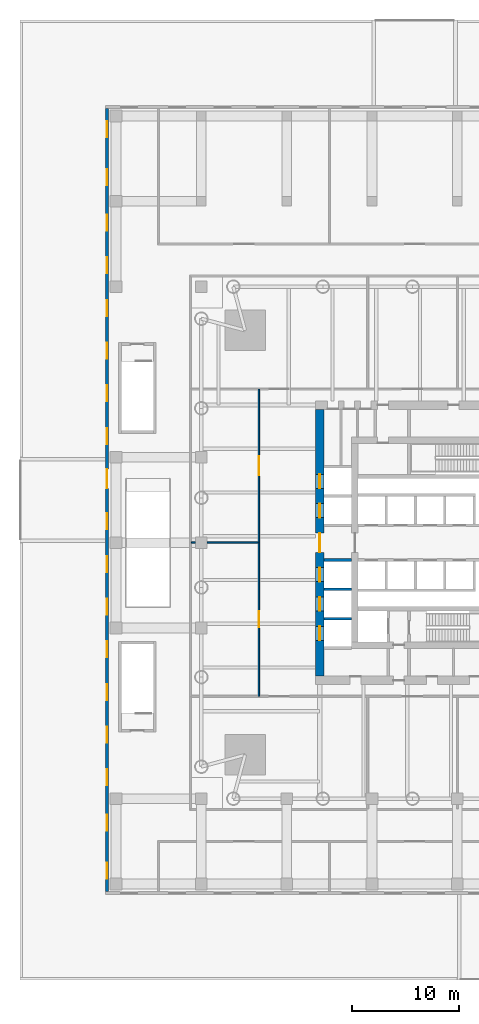
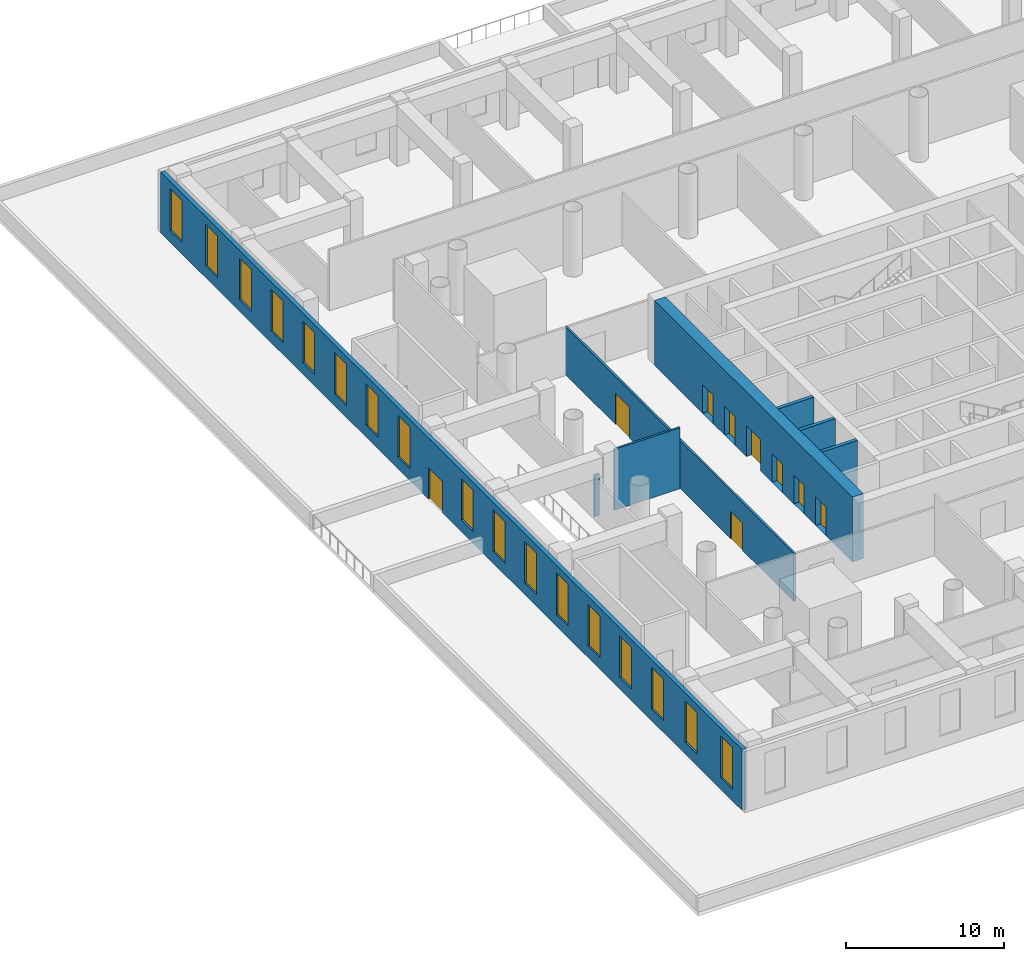
# One storey, part 10 of 26: 17 windows, 9 doors, 8 walls, 26 openings.
"""IFC4 building model written with IfcOpenShell, lengths in metres."""

from ifc_helpers import new_model, si_unit, direction, frame, frame_2d, origin, place, context, subcontext, project, spatial, rectangle, extrude, material, layer, layer_set, type_object, element, fill, save


model = new_model("IFC4")

# Units and contexts
model_context = context("Model", 3, precision=1e-05, world=origin(), true_north=direction((0.0, 1.0)))
body_context = subcontext(model_context, "Body", "Model", "MODEL_VIEW")
ifc_project = project(units=[si_unit("LENGTHUNIT", "METRE"), si_unit("AREAUNIT", "SQUARE_METRE"), si_unit("VOLUMEUNIT", "CUBIC_METRE"), si_unit("PLANEANGLEUNIT", "RADIAN"), si_unit("MASSUNIT", "GRAM", prefix="KILO")], contexts=[model_context])

# Site, building, storey
site_placement = place(None, origin())
site = spatial("IfcSite", under=ifc_project, at=site_placement, CompositionType="ELEMENT")
building_placement = place(site_placement, origin())
building = spatial("IfcBuilding", under=site, at=building_placement, Name="Ostroluk Exchange", CompositionType="ELEMENT")
storey_placement = place(building_placement, frame((0.0, 0.0, 6.0)))
storey = spatial("IfcBuildingStorey", under=building, at=storey_placement, Name="L01", CompositionType="ELEMENT", Elevation=6.0)

# Walls
ifc_material_1 = material(Name="Concrete C40/50", Category="concrete")
ifc_layer_1 = layer(ifc_material_1, 0.25)
ifc_layer_set_1 = layer_set([ifc_layer_1], Name="Core shaft wall 250")
wall_type_1 = type_object("IfcWallType", Name="Core shaft wall 250", PredefinedType="SHEAR", material=ifc_layer_set_1)
for number, where, z_axis, x_axis, name in (
    (1, (32.5, 38.875, 0.0), (0.0, 0.0, 1.0), (1.0, 0.0, 0.0), "Lift shaft wall"),
    (2, (32.5, 41.625, 0.0), (0.0, 0.0, 1.0), (1.0, 0.0, 0.0), "Lift shaft wall"),
    (3, (32.5, 44.375, 0.0), (0.0, 0.0, 1.0), (1.0, 0.0, 0.0), "Lift shaft wall"),
):
    element("IfcWall", number, at=place(storey_placement, frame(where, z_axis=z_axis, x_axis=x_axis)), inside=storey, type_object=wall_type_1, Name=name, PredefinedType="SHEAR", context=body_context, shape_type="SweptSolid", body=[
        extrude(rectangle(XDim=2.60009765625, YDim=0.25, at=frame_2d((1.300048828125, 0.0))), origin(), (0.0, 0.0, 1.0), 5.0),
    ])

# Wall, openings, doors
ifc_material_2 = material(Name="Concrete C50/60", Category="concrete")
ifc_layer_2 = layer(ifc_material_2, 0.800048828125)
ifc_layer_set_2 = layer_set([ifc_layer_2], Name="Core wall 800 C50/60")
wall_type_2 = type_object("IfcWallType", Name="Core wall 800 C50/60", PredefinedType="SHEAR", material=ifc_layer_set_2)
wall_1_placement = place(storey_placement, frame((32.10009765625, 33.5, 0.0), z_axis=(0.0, 0.0, 1.0), x_axis=(0.0, 1.0, 0.0)))
wall_1 = element("IfcWall", 4, at=wall_1_placement, inside=storey, type_object=wall_type_2, Name="T1 core wall RW", PredefinedType="SHEAR", context=body_context, shape_type="SweptSolid", body=[
    extrude(rectangle(XDim=25.0, YDim=0.800048828125, at=frame_2d((12.5, 0.0))), origin(), (0.0, 0.0, 1.0), 5.0),
])
opening_1_placement = place(wall_1_placement, frame((3.35009765625, 0.0, 0.0)))
opening_1 = element("IfcOpeningElement", 5, at=opening_1_placement, cuts=wall_1, Name="Opening LD2", PredefinedType="OPENING", context=body_context, shape_type="SweptSolid", body=[
    extrude(rectangle(XDim=1.300048828125, YDim=2.199951171875, at=frame_2d((0.64990234375, 1.10009765625))), frame((0.0, 0.409912109375, 0.0), z_axis=(0.0, -1.0, 0.0), x_axis=(1.0, 0.0, 0.0)), (0.0, 0.0, 1.0), 0.820068359375),
])
opening_2_placement = place(wall_1_placement, frame((6.10009765625, 0.0, 0.0)))
opening_2 = element("IfcOpeningElement", 6, at=opening_2_placement, cuts=wall_1, Name="Opening LD2", PredefinedType="OPENING", context=body_context, shape_type="SweptSolid", body=[
    extrude(rectangle(XDim=1.300048828125, YDim=2.199951171875, at=frame_2d((0.64990234375, 1.10009765625))), frame((0.0, 0.409912109375, 0.0), z_axis=(0.0, -1.0, 0.0), x_axis=(1.0, 0.0, 0.0)), (0.0, 0.0, 1.0), 0.820068359375),
])
opening_3_placement = place(wall_1_placement, frame((8.85009765625, 0.0, 0.0)))
opening_3 = element("IfcOpeningElement", 7, at=opening_3_placement, cuts=wall_1, Name="Opening LD2", PredefinedType="OPENING", context=body_context, shape_type="SweptSolid", body=[
    extrude(rectangle(XDim=1.300048828125, YDim=2.199951171875, at=frame_2d((0.64990234375, 1.10009765625))), frame((0.0, 0.409912109375, 0.0), z_axis=(0.0, -1.0, 0.0), x_axis=(1.0, 0.0, 0.0)), (0.0, 0.0, 1.0), 0.820068359375),
])
opening_4_placement = place(wall_1_placement, frame((14.85009765625, 0.0, 0.0)))
opening_4 = element("IfcOpeningElement", 8, at=opening_4_placement, cuts=wall_1, Name="Opening LD2", PredefinedType="OPENING", context=body_context, shape_type="SweptSolid", body=[
    extrude(rectangle(XDim=1.300048828125, YDim=2.199951171875, at=frame_2d((0.64990234375, 1.10009765625))), frame((0.0, 0.409912109375, 0.0), z_axis=(0.0, -1.0, 0.0), x_axis=(1.0, 0.0, 0.0)), (0.0, 0.0, 1.0), 0.820068359375),
])
opening_5_placement = place(wall_1_placement, frame((17.60009765625, 0.0, 0.0)))
opening_5 = element("IfcOpeningElement", 9, at=opening_5_placement, cuts=wall_1, Name="Opening LD2", PredefinedType="OPENING", context=body_context, shape_type="SweptSolid", body=[
    extrude(rectangle(XDim=1.300048828125, YDim=2.199951171875, at=frame_2d((0.64990234375, 1.10009765625))), frame((0.0, 0.409912109375, 0.0), z_axis=(0.0, -1.0, 0.0), x_axis=(1.0, 0.0, 0.0)), (0.0, 0.0, 1.0), 0.820068359375),
])
opening_6_placement = place(wall_1_placement, frame((11.60009765625, 0.0, 0.0)))
opening_6 = element("IfcOpeningElement", 10, at=opening_6_placement, cuts=wall_1, Name="Opening FD30D", PredefinedType="OPENING", context=body_context, shape_type="SweptSolid", body=[
    extrude(rectangle(XDim=1.800048828125, YDim=2.39990234375, at=frame_2d((0.89990234375, 1.199951171875))), frame((0.0, 0.409912109375, 0.0), z_axis=(0.0, -1.0, 0.0), x_axis=(1.0, 0.0, 0.0)), (0.0, 0.0, 1.0), 0.820068359375),
])
ifc_material_3 = material(Name="Stainless steel", Category="steel")
door_type_1 = type_object("IfcDoorType", Name="Lift landing door E 60 1300 x 2200", OperationType="DOUBLE_DOOR_SLIDING", PredefinedType="DOOR", material=ifc_material_3)
door_1_placement = place(opening_1_placement, origin())
door_1 = element("IfcDoor", 11, at=door_1_placement, inside=storey, type_object=door_type_1, Name="Lift SH1 landing door", OperationType="DOUBLE_DOOR_SLIDING", OverallHeight=2.199951171875, OverallWidth=1.300048828125, PredefinedType="DOOR", context=body_context, shape_type="SweptSolid", body=[
    extrude(rectangle(XDim=1.300048828125, YDim=2.199951171875, at=frame_2d((0.64990234375, 1.10009765625))), frame((0.0, 0.02490234375, 0.0), z_axis=(0.0, -1.0, 0.0), x_axis=(1.0, 0.0, 0.0)), (0.0, 0.0, 1.0), 0.050048828125),
])
fill(opening_1, door_1)
door_2_placement = place(opening_2_placement, origin())
door_2 = element("IfcDoor", 12, at=door_2_placement, inside=storey, type_object=door_type_1, Name="Lift SH2 landing door", OperationType="DOUBLE_DOOR_SLIDING", OverallHeight=2.199951171875, OverallWidth=1.300048828125, PredefinedType="DOOR", context=body_context, shape_type="SweptSolid", body=[
    extrude(rectangle(XDim=1.300048828125, YDim=2.199951171875, at=frame_2d((0.64990234375, 1.10009765625))), frame((0.0, 0.02490234375, 0.0), z_axis=(0.0, -1.0, 0.0), x_axis=(1.0, 0.0, 0.0)), (0.0, 0.0, 1.0), 0.050048828125),
])
fill(opening_2, door_2)
door_3_placement = place(opening_3_placement, origin())
door_3 = element("IfcDoor", 13, at=door_3_placement, inside=storey, type_object=door_type_1, Name="Lift SH3 landing door", OperationType="DOUBLE_DOOR_SLIDING", OverallHeight=2.199951171875, OverallWidth=1.300048828125, PredefinedType="DOOR", context=body_context, shape_type="SweptSolid", body=[
    extrude(rectangle(XDim=1.300048828125, YDim=2.199951171875, at=frame_2d((0.64990234375, 1.10009765625))), frame((0.0, 0.02490234375, 0.0), z_axis=(0.0, -1.0, 0.0), x_axis=(1.0, 0.0, 0.0)), (0.0, 0.0, 1.0), 0.050048828125),
])
fill(opening_3, door_3)
door_4_placement = place(opening_4_placement, origin())
door_4 = element("IfcDoor", 14, at=door_4_placement, inside=storey, type_object=door_type_1, Name="Lift SH4 landing door", OperationType="DOUBLE_DOOR_SLIDING", OverallHeight=2.199951171875, OverallWidth=1.300048828125, PredefinedType="DOOR", context=body_context, shape_type="SweptSolid", body=[
    extrude(rectangle(XDim=1.300048828125, YDim=2.199951171875, at=frame_2d((0.64990234375, 1.10009765625))), frame((0.0, 0.02490234375, 0.0), z_axis=(0.0, -1.0, 0.0), x_axis=(1.0, 0.0, 0.0)), (0.0, 0.0, 1.0), 0.050048828125),
])
fill(opening_4, door_4)
door_5_placement = place(opening_5_placement, origin())
door_5 = element("IfcDoor", 15, at=door_5_placement, inside=storey, type_object=door_type_1, Name="Lift SH5 landing door", OperationType="DOUBLE_DOOR_SLIDING", OverallHeight=2.199951171875, OverallWidth=1.300048828125, PredefinedType="DOOR", context=body_context, shape_type="SweptSolid", body=[
    extrude(rectangle(XDim=1.300048828125, YDim=2.199951171875, at=frame_2d((0.64990234375, 1.10009765625))), frame((0.0, 0.02490234375, 0.0), z_axis=(0.0, -1.0, 0.0), x_axis=(1.0, 0.0, 0.0)), (0.0, 0.0, 1.0), 0.050048828125),
])
fill(opening_5, door_5)
ifc_material_4 = material(Name="Timber", Category="wood")
door_type_2 = type_object("IfcDoorType", Name="Lobby double door EI 30 1800 x 2400", OperationType="DOUBLE_DOOR_SINGLE_SWING", PredefinedType="DOOR", material=ifc_material_4)
door_6_placement = place(opening_6_placement, origin())
door_6 = element("IfcDoor", 16, at=door_6_placement, inside=storey, type_object=door_type_2, Name="Lift lobby doors", OperationType="DOUBLE_DOOR_SINGLE_SWING", OverallHeight=2.39990234375, OverallWidth=1.800048828125, PredefinedType="DOOR", context=body_context, shape_type="SweptSolid", body=[
    extrude(rectangle(XDim=1.800048828125, YDim=2.39990234375, at=frame_2d((0.89990234375, 1.199951171875))), frame((0.0, 0.02490234375, 0.0), z_axis=(0.0, -1.0, 0.0), x_axis=(1.0, 0.0, 0.0)), (0.0, 0.0, 1.0), 0.050048828125),
])
fill(opening_6, door_6)

# Wall, openings, windows, door
ifc_material_5 = material(Name="Limestone", Category="masonry")
ifc_layer_3 = layer(ifc_material_5, 0.300048828125)
ifc_layer_set_3 = layer_set([ifc_layer_3], Name="Limestone facade wall 300")
wall_type_3 = type_object("IfcWallType", Name="Limestone facade wall 300", PredefinedType="SOLIDWALL", material=ifc_layer_set_3)
wall_2_placement = place(storey_placement, frame((12.14990234375, 86.699951171875, 0.0), z_axis=(0.0, 0.0, 1.0), x_axis=(0.0, -1.0, 0.0)))
wall_2 = element("IfcWall", 17, at=wall_2_placement, inside=storey, type_object=wall_type_3, Name="Podium west W wall L01 1a", PredefinedType="SOLIDWALL", context=body_context, shape_type="SweptSolid", body=[
    extrude(rectangle(XDim=73.39990234375, YDim=0.300048828125, at=frame_2d((36.699951171875, 0.0))), origin(), (0.0, 0.0, 1.0), 4.699951171875),
])
opening_7_placement = place(wall_2_placement, frame((1.199951171875, 0.0, 0.89990234375)))
opening_7 = element("IfcOpeningElement", 18, at=opening_7_placement, cuts=wall_2, Name="Opening WN-L2", PredefinedType="OPENING", context=body_context, shape_type="SweptSolid", body=[
    extrude(rectangle(XDim=1.5, YDim=3.199951171875, at=frame_2d((0.75, 1.60009765625))), frame((0.0, 0.159912109375, 0.0), z_axis=(0.0, -1.0, 0.0), x_axis=(1.0, 0.0, 0.0)), (0.0, 0.0, 1.0), 0.320068359375),
])
opening_8_placement = place(wall_2_placement, frame((5.699951171875, 0.0, 0.89990234375)))
opening_8 = element("IfcOpeningElement", 19, at=opening_8_placement, cuts=wall_2, Name="Opening WN-L2", PredefinedType="OPENING", context=body_context, shape_type="SweptSolid", body=[
    extrude(rectangle(XDim=1.5, YDim=3.199951171875, at=frame_2d((0.75, 1.60009765625))), frame((0.0, 0.159912109375, 0.0), z_axis=(0.0, -1.0, 0.0), x_axis=(1.0, 0.0, 0.0)), (0.0, 0.0, 1.0), 0.320068359375),
])
opening_9_placement = place(wall_2_placement, frame((9.949951171875, 0.0, 0.89990234375)))
opening_9 = element("IfcOpeningElement", 20, at=opening_9_placement, cuts=wall_2, Name="Opening WN-L2", PredefinedType="OPENING", context=body_context, shape_type="SweptSolid", body=[
    extrude(rectangle(XDim=1.5, YDim=3.199951171875, at=frame_2d((0.75, 1.60009765625))), frame((0.0, 0.159912109375, 0.0), z_axis=(0.0, -1.0, 0.0), x_axis=(1.0, 0.0, 0.0)), (0.0, 0.0, 1.0), 0.320068359375),
])
opening_10_placement = place(wall_2_placement, frame((13.949951171875, 0.0, 0.89990234375)))
opening_10 = element("IfcOpeningElement", 21, at=opening_10_placement, cuts=wall_2, Name="Opening WN-L2", PredefinedType="OPENING", context=body_context, shape_type="SweptSolid", body=[
    extrude(rectangle(XDim=1.5, YDim=3.199951171875, at=frame_2d((0.75, 1.60009765625))), frame((0.0, 0.159912109375, 0.0), z_axis=(0.0, -1.0, 0.0), x_axis=(1.0, 0.0, 0.0)), (0.0, 0.0, 1.0), 0.320068359375),
])
opening_11_placement = place(wall_2_placement, frame((17.949951171875, 0.0, 0.89990234375)))
opening_11 = element("IfcOpeningElement", 22, at=opening_11_placement, cuts=wall_2, Name="Opening WN-L2", PredefinedType="OPENING", context=body_context, shape_type="SweptSolid", body=[
    extrude(rectangle(XDim=1.5, YDim=3.199951171875, at=frame_2d((0.75, 1.60009765625))), frame((0.0, 0.159912109375, 0.0), z_axis=(0.0, -1.0, 0.0), x_axis=(1.0, 0.0, 0.0)), (0.0, 0.0, 1.0), 0.320068359375),
])
opening_12_placement = place(wall_2_placement, frame((21.949951171875, 0.0, 0.89990234375)))
opening_12 = element("IfcOpeningElement", 23, at=opening_12_placement, cuts=wall_2, Name="Opening WN-L2", PredefinedType="OPENING", context=body_context, shape_type="SweptSolid", body=[
    extrude(rectangle(XDim=1.5, YDim=3.199951171875, at=frame_2d((0.75, 1.60009765625))), frame((0.0, 0.159912109375, 0.0), z_axis=(0.0, -1.0, 0.0), x_axis=(1.0, 0.0, 0.0)), (0.0, 0.0, 1.0), 0.320068359375),
])
opening_13_placement = place(wall_2_placement, frame((25.949951171875, 0.0, 0.89990234375)))
opening_13 = element("IfcOpeningElement", 24, at=opening_13_placement, cuts=wall_2, Name="Opening WN-L2", PredefinedType="OPENING", context=body_context, shape_type="SweptSolid", body=[
    extrude(rectangle(XDim=1.5, YDim=3.199951171875, at=frame_2d((0.75, 1.60009765625))), frame((0.0, 0.159912109375, 0.0), z_axis=(0.0, -1.0, 0.0), x_axis=(1.0, 0.0, 0.0)), (0.0, 0.0, 1.0), 0.320068359375),
])
opening_14_placement = place(wall_2_placement, frame((29.949951171875, 0.0, 0.89990234375)))
opening_14 = element("IfcOpeningElement", 25, at=opening_14_placement, cuts=wall_2, Name="Opening WN-L2", PredefinedType="OPENING", context=body_context, shape_type="SweptSolid", body=[
    extrude(rectangle(XDim=1.5, YDim=3.199951171875, at=frame_2d((0.75, 1.60009765625))), frame((0.0, 0.159912109375, 0.0), z_axis=(0.0, -1.0, 0.0), x_axis=(1.0, 0.0, 0.0)), (0.0, 0.0, 1.0), 0.320068359375),
])
opening_15_placement = place(wall_2_placement, frame((33.800048828125, 0.0, 0.0)))
opening_15 = element("IfcOpeningElement", 26, at=opening_15_placement, cuts=wall_2, Name="Opening D-T1", PredefinedType="OPENING", context=body_context, shape_type="SweptSolid", body=[
    extrude(rectangle(XDim=1.800048828125, YDim=2.39990234375, at=frame_2d((0.89990234375, 1.199951171875))), frame((0.0, 0.159912109375, 0.0), z_axis=(0.0, -1.0, 0.0), x_axis=(1.0, 0.0, 0.0)), (0.0, 0.0, 1.0), 0.320068359375),
])
opening_16_placement = place(wall_2_placement, frame((37.949951171875, 0.0, 0.89990234375)))
opening_16 = element("IfcOpeningElement", 27, at=opening_16_placement, cuts=wall_2, Name="Opening WN-L2", PredefinedType="OPENING", context=body_context, shape_type="SweptSolid", body=[
    extrude(rectangle(XDim=1.5, YDim=3.199951171875, at=frame_2d((0.75, 1.60009765625))), frame((0.0, 0.159912109375, 0.0), z_axis=(0.0, -1.0, 0.0), x_axis=(1.0, 0.0, 0.0)), (0.0, 0.0, 1.0), 0.320068359375),
])
opening_17_placement = place(wall_2_placement, frame((41.949951171875, 0.0, 0.89990234375)))
opening_17 = element("IfcOpeningElement", 28, at=opening_17_placement, cuts=wall_2, Name="Opening WN-L2", PredefinedType="OPENING", context=body_context, shape_type="SweptSolid", body=[
    extrude(rectangle(XDim=1.5, YDim=3.199951171875, at=frame_2d((0.75, 1.60009765625))), frame((0.0, 0.159912109375, 0.0), z_axis=(0.0, -1.0, 0.0), x_axis=(1.0, 0.0, 0.0)), (0.0, 0.0, 1.0), 0.320068359375),
])
opening_18_placement = place(wall_2_placement, frame((45.949951171875, 0.0, 0.89990234375)))
opening_18 = element("IfcOpeningElement", 29, at=opening_18_placement, cuts=wall_2, Name="Opening WN-L2", PredefinedType="OPENING", context=body_context, shape_type="SweptSolid", body=[
    extrude(rectangle(XDim=1.5, YDim=3.199951171875, at=frame_2d((0.75, 1.60009765625))), frame((0.0, 0.159912109375, 0.0), z_axis=(0.0, -1.0, 0.0), x_axis=(1.0, 0.0, 0.0)), (0.0, 0.0, 1.0), 0.320068359375),
])
opening_19_placement = place(wall_2_placement, frame((49.949951171875, 0.0, 0.89990234375)))
opening_19 = element("IfcOpeningElement", 30, at=opening_19_placement, cuts=wall_2, Name="Opening WN-L2", PredefinedType="OPENING", context=body_context, shape_type="SweptSolid", body=[
    extrude(rectangle(XDim=1.5, YDim=3.199951171875, at=frame_2d((0.75, 1.60009765625))), frame((0.0, 0.159912109375, 0.0), z_axis=(0.0, -1.0, 0.0), x_axis=(1.0, 0.0, 0.0)), (0.0, 0.0, 1.0), 0.320068359375),
])
opening_20_placement = place(wall_2_placement, frame((53.949951171875, 0.0, 0.89990234375)))
opening_20 = element("IfcOpeningElement", 31, at=opening_20_placement, cuts=wall_2, Name="Opening WN-L2", PredefinedType="OPENING", context=body_context, shape_type="SweptSolid", body=[
    extrude(rectangle(XDim=1.5, YDim=3.199951171875, at=frame_2d((0.75, 1.60009765625))), frame((0.0, 0.159912109375, 0.0), z_axis=(0.0, -1.0, 0.0), x_axis=(1.0, 0.0, 0.0)), (0.0, 0.0, 1.0), 0.320068359375),
])
opening_21_placement = place(wall_2_placement, frame((57.949951171875, 0.0, 0.89990234375)))
opening_21 = element("IfcOpeningElement", 32, at=opening_21_placement, cuts=wall_2, Name="Opening WN-L2", PredefinedType="OPENING", context=body_context, shape_type="SweptSolid", body=[
    extrude(rectangle(XDim=1.5, YDim=3.199951171875, at=frame_2d((0.75, 1.60009765625))), frame((0.0, 0.159912109375, 0.0), z_axis=(0.0, -1.0, 0.0), x_axis=(1.0, 0.0, 0.0)), (0.0, 0.0, 1.0), 0.320068359375),
])
opening_22_placement = place(wall_2_placement, frame((61.949951171875, 0.0, 0.89990234375)))
opening_22 = element("IfcOpeningElement", 33, at=opening_22_placement, cuts=wall_2, Name="Opening WN-L2", PredefinedType="OPENING", context=body_context, shape_type="SweptSolid", body=[
    extrude(rectangle(XDim=1.5, YDim=3.199951171875, at=frame_2d((0.75, 1.60009765625))), frame((0.0, 0.159912109375, 0.0), z_axis=(0.0, -1.0, 0.0), x_axis=(1.0, 0.0, 0.0)), (0.0, 0.0, 1.0), 0.320068359375),
])
opening_23_placement = place(wall_2_placement, frame((66.199951171875, 0.0, 0.89990234375)))
opening_23 = element("IfcOpeningElement", 34, at=opening_23_placement, cuts=wall_2, Name="Opening WN-L2", PredefinedType="OPENING", context=body_context, shape_type="SweptSolid", body=[
    extrude(rectangle(XDim=1.5, YDim=3.199951171875, at=frame_2d((0.75, 1.60009765625))), frame((0.0, 0.159912109375, 0.0), z_axis=(0.0, -1.0, 0.0), x_axis=(1.0, 0.0, 0.0)), (0.0, 0.0, 1.0), 0.320068359375),
])
opening_24_placement = place(wall_2_placement, frame((70.699951171875, 0.0, 0.89990234375)))
opening_24 = element("IfcOpeningElement", 35, at=opening_24_placement, cuts=wall_2, Name="Opening WN-L2", PredefinedType="OPENING", context=body_context, shape_type="SweptSolid", body=[
    extrude(rectangle(XDim=1.5, YDim=3.199951171875, at=frame_2d((0.75, 1.60009765625))), frame((0.0, 0.159912109375, 0.0), z_axis=(0.0, -1.0, 0.0), x_axis=(1.0, 0.0, 0.0)), (0.0, 0.0, 1.0), 0.320068359375),
])
ifc_material_6 = material(Name="Laminated clear glass", Category="glass")
window_type = type_object("IfcWindowType", Name="Podium lancet window 1500 x 3200", PartitioningType="DOUBLE_PANEL_VERTICAL", PredefinedType="WINDOW", material=ifc_material_6)
window_1_placement = place(opening_7_placement, origin())
window_1 = element("IfcWindow", 36, at=window_1_placement, inside=storey, type_object=window_type, Name="Podium west lancet window W L01 1.1", OverallHeight=3.199951171875, OverallWidth=1.5, PartitioningType="SINGLE_PANEL", PredefinedType="WINDOW", context=body_context, shape_type="SweptSolid", body=[
    extrude(rectangle(XDim=1.5, YDim=3.199951171875, at=frame_2d((0.75, 1.60009765625))), frame((0.0, 0.030029296875, 0.0), z_axis=(0.0, -1.0, 0.0), x_axis=(1.0, 0.0, 0.0)), (0.0, 0.0, 1.0), 0.06005859375),
])
fill(opening_7, window_1)
window_2_placement = place(opening_8_placement, origin())
window_2 = element("IfcWindow", 37, at=window_2_placement, inside=storey, type_object=window_type, Name="Podium west lancet window W L01 1.2", OverallHeight=3.199951171875, OverallWidth=1.5, PartitioningType="SINGLE_PANEL", PredefinedType="WINDOW", context=body_context, shape_type="SweptSolid", body=[
    extrude(rectangle(XDim=1.5, YDim=3.199951171875, at=frame_2d((0.75, 1.60009765625))), frame((0.0, 0.030029296875, 0.0), z_axis=(0.0, -1.0, 0.0), x_axis=(1.0, 0.0, 0.0)), (0.0, 0.0, 1.0), 0.06005859375),
])
fill(opening_8, window_2)
window_3_placement = place(opening_9_placement, origin())
window_3 = element("IfcWindow", 38, at=window_3_placement, inside=storey, type_object=window_type, Name="Podium west lancet window W L01 2.1", OverallHeight=3.199951171875, OverallWidth=1.5, PartitioningType="SINGLE_PANEL", PredefinedType="WINDOW", context=body_context, shape_type="SweptSolid", body=[
    extrude(rectangle(XDim=1.5, YDim=3.199951171875, at=frame_2d((0.75, 1.60009765625))), frame((0.0, 0.030029296875, 0.0), z_axis=(0.0, -1.0, 0.0), x_axis=(1.0, 0.0, 0.0)), (0.0, 0.0, 1.0), 0.06005859375),
])
fill(opening_9, window_3)
window_4_placement = place(opening_10_placement, origin())
window_4 = element("IfcWindow", 39, at=window_4_placement, inside=storey, type_object=window_type, Name="Podium west lancet window W L01 2.2", OverallHeight=3.199951171875, OverallWidth=1.5, PartitioningType="SINGLE_PANEL", PredefinedType="WINDOW", context=body_context, shape_type="SweptSolid", body=[
    extrude(rectangle(XDim=1.5, YDim=3.199951171875, at=frame_2d((0.75, 1.60009765625))), frame((0.0, 0.030029296875, 0.0), z_axis=(0.0, -1.0, 0.0), x_axis=(1.0, 0.0, 0.0)), (0.0, 0.0, 1.0), 0.06005859375),
])
fill(opening_10, window_4)
window_5_placement = place(opening_11_placement, origin())
window_5 = element("IfcWindow", 40, at=window_5_placement, inside=storey, type_object=window_type, Name="Podium west lancet window W L01 3.1", OverallHeight=3.199951171875, OverallWidth=1.5, PartitioningType="SINGLE_PANEL", PredefinedType="WINDOW", context=body_context, shape_type="SweptSolid", body=[
    extrude(rectangle(XDim=1.5, YDim=3.199951171875, at=frame_2d((0.75, 1.60009765625))), frame((0.0, 0.030029296875, 0.0), z_axis=(0.0, -1.0, 0.0), x_axis=(1.0, 0.0, 0.0)), (0.0, 0.0, 1.0), 0.06005859375),
])
fill(opening_11, window_5)
window_6_placement = place(opening_12_placement, origin())
window_6 = element("IfcWindow", 41, at=window_6_placement, inside=storey, type_object=window_type, Name="Podium west lancet window W L01 3.2", OverallHeight=3.199951171875, OverallWidth=1.5, PartitioningType="SINGLE_PANEL", PredefinedType="WINDOW", context=body_context, shape_type="SweptSolid", body=[
    extrude(rectangle(XDim=1.5, YDim=3.199951171875, at=frame_2d((0.75, 1.60009765625))), frame((0.0, 0.030029296875, 0.0), z_axis=(0.0, -1.0, 0.0), x_axis=(1.0, 0.0, 0.0)), (0.0, 0.0, 1.0), 0.06005859375),
])
fill(opening_12, window_6)
window_7_placement = place(opening_13_placement, origin())
window_7 = element("IfcWindow", 42, at=window_7_placement, inside=storey, type_object=window_type, Name="Podium west lancet window W L01 4.1", OverallHeight=3.199951171875, OverallWidth=1.5, PartitioningType="SINGLE_PANEL", PredefinedType="WINDOW", context=body_context, shape_type="SweptSolid", body=[
    extrude(rectangle(XDim=1.5, YDim=3.199951171875, at=frame_2d((0.75, 1.60009765625))), frame((0.0, 0.030029296875, 0.0), z_axis=(0.0, -1.0, 0.0), x_axis=(1.0, 0.0, 0.0)), (0.0, 0.0, 1.0), 0.06005859375),
])
fill(opening_13, window_7)
window_8_placement = place(opening_14_placement, origin())
window_8 = element("IfcWindow", 43, at=window_8_placement, inside=storey, type_object=window_type, Name="Podium west lancet window W L01 4.2", OverallHeight=3.199951171875, OverallWidth=1.5, PartitioningType="SINGLE_PANEL", PredefinedType="WINDOW", context=body_context, shape_type="SweptSolid", body=[
    extrude(rectangle(XDim=1.5, YDim=3.199951171875, at=frame_2d((0.75, 1.60009765625))), frame((0.0, 0.030029296875, 0.0), z_axis=(0.0, -1.0, 0.0), x_axis=(1.0, 0.0, 0.0)), (0.0, 0.0, 1.0), 0.06005859375),
])
fill(opening_14, window_8)
window_9_placement = place(opening_16_placement, origin())
window_9 = element("IfcWindow", 44, at=window_9_placement, inside=storey, type_object=window_type, Name="Podium west lancet window W L01 5.2", OverallHeight=3.199951171875, OverallWidth=1.5, PartitioningType="SINGLE_PANEL", PredefinedType="WINDOW", context=body_context, shape_type="SweptSolid", body=[
    extrude(rectangle(XDim=1.5, YDim=3.199951171875, at=frame_2d((0.75, 1.60009765625))), frame((0.0, 0.030029296875, 0.0), z_axis=(0.0, -1.0, 0.0), x_axis=(1.0, 0.0, 0.0)), (0.0, 0.0, 1.0), 0.06005859375),
])
fill(opening_16, window_9)
window_10_placement = place(opening_17_placement, origin())
window_10 = element("IfcWindow", 45, at=window_10_placement, inside=storey, type_object=window_type, Name="Podium west lancet window W L01 6.1", OverallHeight=3.199951171875, OverallWidth=1.5, PartitioningType="SINGLE_PANEL", PredefinedType="WINDOW", context=body_context, shape_type="SweptSolid", body=[
    extrude(rectangle(XDim=1.5, YDim=3.199951171875, at=frame_2d((0.75, 1.60009765625))), frame((0.0, 0.030029296875, 0.0), z_axis=(0.0, -1.0, 0.0), x_axis=(1.0, 0.0, 0.0)), (0.0, 0.0, 1.0), 0.06005859375),
])
fill(opening_17, window_10)
window_11_placement = place(opening_18_placement, origin())
window_11 = element("IfcWindow", 46, at=window_11_placement, inside=storey, type_object=window_type, Name="Podium west lancet window W L01 6.2", OverallHeight=3.199951171875, OverallWidth=1.5, PartitioningType="SINGLE_PANEL", PredefinedType="WINDOW", context=body_context, shape_type="SweptSolid", body=[
    extrude(rectangle(XDim=1.5, YDim=3.199951171875, at=frame_2d((0.75, 1.60009765625))), frame((0.0, 0.030029296875, 0.0), z_axis=(0.0, -1.0, 0.0), x_axis=(1.0, 0.0, 0.0)), (0.0, 0.0, 1.0), 0.06005859375),
])
fill(opening_18, window_11)
window_12_placement = place(opening_19_placement, origin())
window_12 = element("IfcWindow", 47, at=window_12_placement, inside=storey, type_object=window_type, Name="Podium west lancet window W L01 7.1", OverallHeight=3.199951171875, OverallWidth=1.5, PartitioningType="SINGLE_PANEL", PredefinedType="WINDOW", context=body_context, shape_type="SweptSolid", body=[
    extrude(rectangle(XDim=1.5, YDim=3.199951171875, at=frame_2d((0.75, 1.60009765625))), frame((0.0, 0.030029296875, 0.0), z_axis=(0.0, -1.0, 0.0), x_axis=(1.0, 0.0, 0.0)), (0.0, 0.0, 1.0), 0.06005859375),
])
fill(opening_19, window_12)
window_13_placement = place(opening_20_placement, origin())
window_13 = element("IfcWindow", 48, at=window_13_placement, inside=storey, type_object=window_type, Name="Podium west lancet window W L01 7.2", OverallHeight=3.199951171875, OverallWidth=1.5, PartitioningType="SINGLE_PANEL", PredefinedType="WINDOW", context=body_context, shape_type="SweptSolid", body=[
    extrude(rectangle(XDim=1.5, YDim=3.199951171875, at=frame_2d((0.75, 1.60009765625))), frame((0.0, 0.030029296875, 0.0), z_axis=(0.0, -1.0, 0.0), x_axis=(1.0, 0.0, 0.0)), (0.0, 0.0, 1.0), 0.06005859375),
])
fill(opening_20, window_13)
window_14_placement = place(opening_21_placement, origin())
window_14 = element("IfcWindow", 49, at=window_14_placement, inside=storey, type_object=window_type, Name="Podium west lancet window W L01 8.1", OverallHeight=3.199951171875, OverallWidth=1.5, PartitioningType="SINGLE_PANEL", PredefinedType="WINDOW", context=body_context, shape_type="SweptSolid", body=[
    extrude(rectangle(XDim=1.5, YDim=3.199951171875, at=frame_2d((0.75, 1.60009765625))), frame((0.0, 0.030029296875, 0.0), z_axis=(0.0, -1.0, 0.0), x_axis=(1.0, 0.0, 0.0)), (0.0, 0.0, 1.0), 0.06005859375),
])
fill(opening_21, window_14)
window_15_placement = place(opening_22_placement, origin())
window_15 = element("IfcWindow", 50, at=window_15_placement, inside=storey, type_object=window_type, Name="Podium west lancet window W L01 8.2", OverallHeight=3.199951171875, OverallWidth=1.5, PartitioningType="SINGLE_PANEL", PredefinedType="WINDOW", context=body_context, shape_type="SweptSolid", body=[
    extrude(rectangle(XDim=1.5, YDim=3.199951171875, at=frame_2d((0.75, 1.60009765625))), frame((0.0, 0.030029296875, 0.0), z_axis=(0.0, -1.0, 0.0), x_axis=(1.0, 0.0, 0.0)), (0.0, 0.0, 1.0), 0.06005859375),
])
fill(opening_22, window_15)
window_16_placement = place(opening_23_placement, origin())
window_16 = element("IfcWindow", 51, at=window_16_placement, inside=storey, type_object=window_type, Name="Podium west lancet window W L01 9.1", OverallHeight=3.199951171875, OverallWidth=1.5, PartitioningType="SINGLE_PANEL", PredefinedType="WINDOW", context=body_context, shape_type="SweptSolid", body=[
    extrude(rectangle(XDim=1.5, YDim=3.199951171875, at=frame_2d((0.75, 1.60009765625))), frame((0.0, 0.030029296875, 0.0), z_axis=(0.0, -1.0, 0.0), x_axis=(1.0, 0.0, 0.0)), (0.0, 0.0, 1.0), 0.06005859375),
])
fill(opening_23, window_16)
window_17_placement = place(opening_24_placement, origin())
window_17 = element("IfcWindow", 52, at=window_17_placement, inside=storey, type_object=window_type, Name="Podium west lancet window W L01 9.2", OverallHeight=3.199951171875, OverallWidth=1.5, PartitioningType="SINGLE_PANEL", PredefinedType="WINDOW", context=body_context, shape_type="SweptSolid", body=[
    extrude(rectangle(XDim=1.5, YDim=3.199951171875, at=frame_2d((0.75, 1.60009765625))), frame((0.0, 0.030029296875, 0.0), z_axis=(0.0, -1.0, 0.0), x_axis=(1.0, 0.0, 0.0)), (0.0, 0.0, 1.0), 0.06005859375),
])
fill(opening_24, window_17)
ifc_material_7 = material(Name="Bronze framed glazed door", Category="aluminium")
door_type_3 = type_object("IfcDoorType", Name="Terrace double door 1800 x 2400", OperationType="DOUBLE_DOOR_SINGLE_SWING", PredefinedType="DOOR", material=ifc_material_7)
door_7_placement = place(opening_15_placement, origin())
door_7 = element("IfcDoor", 53, at=door_7_placement, inside=storey, type_object=door_type_3, Name="Podium west terrace door W L01 5", OperationType="DOUBLE_DOOR_SINGLE_SWING", OverallHeight=2.39990234375, OverallWidth=1.800048828125, PredefinedType="DOOR", context=body_context, shape_type="SweptSolid", body=[
    extrude(rectangle(XDim=1.800048828125, YDim=2.39990234375, at=frame_2d((0.89990234375, 1.199951171875))), frame((0.0, 0.02490234375, 0.0), z_axis=(0.0, -1.0, 0.0), x_axis=(1.0, 0.0, 0.0)), (0.0, 0.0, 1.0), 0.050048828125),
])
fill(opening_15, door_7)

# Wall, openings, doors
ifc_material_8 = material(Name="Gypsum plasterboard partition", Category="gypsum")
ifc_layer_4 = layer(ifc_material_8, 0.14990234375)
ifc_layer_set_4 = layer_set([ifc_layer_4], Name="Plasterboard partition 150")
wall_type_4 = type_object("IfcWallType", Name="Plasterboard partition 150", PredefinedType="PARTITIONING", material=ifc_layer_set_4)
wall_3_placement = place(storey_placement, frame((26.39990234375, 31.60009765625, 0.0), z_axis=(0.0, 0.0, 1.0), x_axis=(0.0, 1.0, 0.0)))
wall_3 = element("IfcWall", 54, at=wall_3_placement, inside=storey, type_object=wall_type_4, Name="Partition", PredefinedType="PARTITIONING", context=body_context, shape_type="SweptSolid", body=[
    extrude(rectangle(XDim=28.7998046875, YDim=0.14990234375, at=frame_2d((14.39990234375, 0.0))), origin(), (0.0, 0.0, 1.0), 3.68798828125),
])
opening_25_placement = place(wall_3_placement, frame((6.449951171875, 0.0, 0.0)))
opening_25 = element("IfcOpeningElement", 55, at=opening_25_placement, cuts=wall_3, Name="Opening D-07", PredefinedType="OPENING", context=body_context, shape_type="SweptSolid", body=[
    extrude(rectangle(XDim=1.5, YDim=2.10009765625, at=frame_2d((0.75, 1.050048828125))), frame((0.0, 0.0849609375, 0.0), z_axis=(0.0, -1.0, 0.0), x_axis=(1.0, 0.0, 0.0)), (0.0, 0.0, 1.0), 0.169921875),
])
opening_26_placement = place(wall_3_placement, frame((20.699951171875, 0.0, 0.0)))
opening_26 = element("IfcOpeningElement", 56, at=opening_26_placement, cuts=wall_3, Name="Opening D-04", PredefinedType="OPENING", context=body_context, shape_type="SweptSolid", body=[
    extrude(rectangle(XDim=1.800048828125, YDim=2.39990234375, at=frame_2d((0.89990234375, 1.199951171875))), frame((0.0, 0.0849609375, 0.0), z_axis=(0.0, -1.0, 0.0), x_axis=(1.0, 0.0, 0.0)), (0.0, 0.0, 1.0), 0.169921875),
])
ifc_material_9 = material(Name="Timber", Category="wood")
door_type_4 = type_object("IfcDoorType", Name="Double door 1800 x 2400", OperationType="DOUBLE_DOOR_SINGLE_SWING", PredefinedType="DOOR", material=ifc_material_9)
door_8_placement = place(opening_26_placement, origin())
door_8 = element("IfcDoor", 57, at=door_8_placement, inside=storey, type_object=door_type_4, Name="Goods store door", OperationType="DOUBLE_DOOR_SINGLE_SWING", OverallHeight=2.39990234375, OverallWidth=1.800048828125, PredefinedType="DOOR", context=body_context, shape_type="SweptSolid", body=[
    extrude(rectangle(XDim=1.800048828125, YDim=2.39990234375, at=frame_2d((0.89990234375, 1.199951171875))), frame((0.0, 0.02490234375, 0.0), z_axis=(0.0, -1.0, 0.0), x_axis=(1.0, 0.0, 0.0)), (0.0, 0.0, 1.0), 0.050048828125),
])
fill(opening_26, door_8)
ifc_material_10 = material(Name="Steel", Category="steel")
door_type_5 = type_object("IfcDoorType", Name="Kitchen double door 1500 x 2100", OperationType="DOUBLE_DOOR_DOUBLE_SWING", PredefinedType="DOOR", material=ifc_material_10)
door_9_placement = place(opening_25_placement, origin())
door_9 = element("IfcDoor", 58, at=door_9_placement, inside=storey, type_object=door_type_5, Name="Kitchen door", OperationType="DOUBLE_DOOR_DOUBLE_SWING", OverallHeight=2.10009765625, OverallWidth=1.5, PredefinedType="DOOR", context=body_context, shape_type="SweptSolid", body=[
    extrude(rectangle(XDim=1.5, YDim=2.10009765625, at=frame_2d((0.75, 1.050048828125))), frame((0.0, 0.02490234375, 0.0), z_axis=(0.0, -1.0, 0.0), x_axis=(1.0, 0.0, 0.0)), (0.0, 0.0, 1.0), 0.050048828125),
])
fill(opening_25, door_9)

# Walls
wall_4_placement = place(storey_placement, frame((20.074951171875, 46.0, 0.0), z_axis=(0.0, 0.0, 1.0), x_axis=(1.0, 0.0, 0.0)))
element("IfcWall", 59, at=wall_4_placement, inside=storey, type_object=wall_type_4, Name="Partition", PredefinedType="PARTITIONING", context=body_context, shape_type="SweptSolid", body=[
    extrude(rectangle(XDim=0.375, YDim=0.14990234375, at=frame_2d((0.1875, 0.0))), origin(), (0.0, 0.0, 1.0), 3.199951171875),
])
wall_5_placement = place(storey_placement, frame((21.550048828125, 46.0, 0.0), z_axis=(0.0, 0.0, 1.0), x_axis=(1.0, 0.0, 0.0)))
element("IfcWall", 60, at=wall_5_placement, inside=storey, type_object=wall_type_4, Name="Partition", PredefinedType="PARTITIONING", context=body_context, shape_type="SweptSolid", body=[
    extrude(rectangle(XDim=4.77490234375, YDim=0.14990234375, at=frame_2d((2.387451171875, 0.0))), origin(), (0.0, 0.0, 1.0), 4.699951171875),
])

save(model, "model.ifc")
